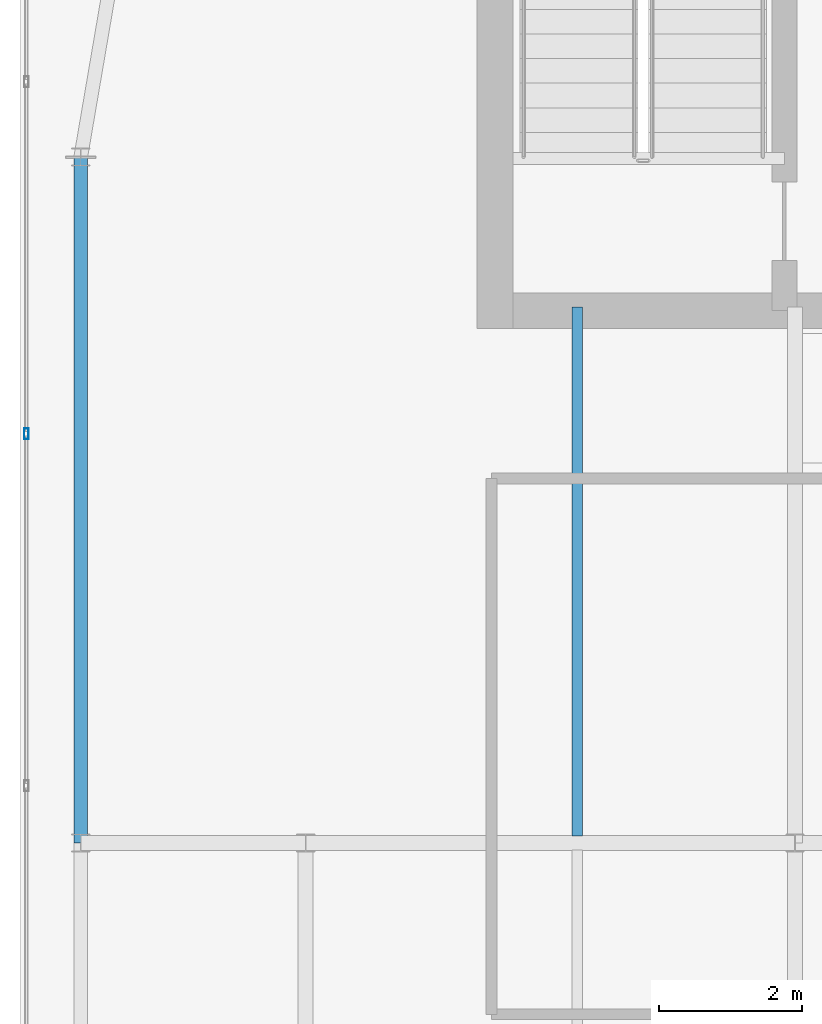
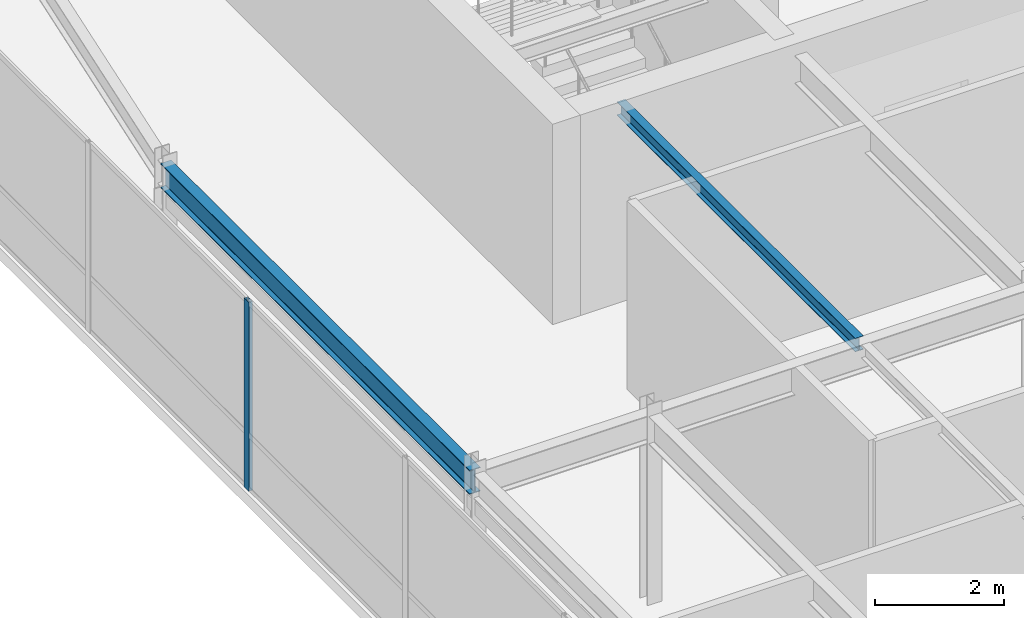
# One storey, part 17 of 36: 2 beams, 1 member, 1 element without a shape of its own.
"""IFC4 building model written with IfcOpenShell, lengths in metres."""

from ifc_helpers import new_model, si_unit, direction, frame, origin, origin_2d, place, context, subcontext, project, spatial, hollow_rectangle, i_section, extrude, source, transform, mapped, material, layer, layer_set, material_profile, profile_set, type_object, type_shapes, element, aggregate, save


model = new_model("IFC4")

# Units and contexts
model_context = context("Model", 3, precision=1e-05, world=origin(), true_north=direction((0.0, 1.0)))
body_context = subcontext(model_context, "Body", "Model", "MODEL_VIEW")
ifc_project = project(units=[si_unit("LENGTHUNIT", "METRE"), si_unit("AREAUNIT", "SQUARE_METRE"), si_unit("VOLUMEUNIT", "CUBIC_METRE"), si_unit("PLANEANGLEUNIT", "RADIAN"), si_unit("MASSUNIT", "GRAM", prefix="KILO")], contexts=[model_context])

# Site, building, storey
site_placement = place(None, origin())
site = spatial("IfcSite", under=ifc_project, at=site_placement, CompositionType="ELEMENT")
building_placement = place(site_placement, origin())
building = spatial("IfcBuilding", under=site, at=building_placement, Name="Tolvann Quenvar Hotel", CompositionType="ELEMENT")
storey_placement = place(building_placement, frame((0.0, 0.0, 302.35009765625)))
storey = spatial("IfcBuildingStorey", under=building, at=storey_placement, Name="L80", CompositionType="ELEMENT", Elevation=302.35009765625)

# Beams
ifc_material_1 = material(Name="Steel Grade 350", Category="steel")
ifc_material_profile_1 = material_profile(ifc_material_1, i_section(OverallWidth=0.19091796875, OverallDepth=0.4599609375, WebThickness=0.010009765625, FlangeThickness=0.01611328125, FilletRadius=0.011474609375, at=origin_2d()), Name="460UB82")
ifc_profile_set_1 = profile_set([ifc_material_profile_1], Name="Steel Grade 350")
beam_type_1 = type_object("IfcBeamType", Name="BM_SPAND_460UB82", PredefinedType="SPANDREL", material=ifc_profile_set_1)
shared_shape_1 = source(origin(), body_context, "Body", "SweptSolid", [
    extrude(i_section(OverallWidth=0.19091796875, OverallDepth=0.4599609375, WebThickness=0.010009765625, FlangeThickness=0.01611328125, FilletRadius=0.011474609375, at=origin_2d()), origin(), (0.0, 0.0, 1.0), 9.60009765625),
])
type_shapes(beam_type_1, [shared_shape_1])
beam_1_placement = place(storey_placement, frame((4.449951171875, 24.39990234375, 3.349853515625), z_axis=(0.0, 1.0, 0.0), x_axis=(-1.0, 0.0, 0.0)))
element("IfcBeam", 1, at=beam_1_placement, inside=storey, type_object=beam_type_1, Name="BM-L80-FLK-W1", PredefinedType="SPANDREL", context=body_context, shape_type="MappedRepresentation", body=[
    mapped(shared_shape_1, transform((0.0, 0.0, 0.0), x_axis=(1.0, 0.0, 0.0), y_axis=(0.0, 1.0, 0.0), z_axis=(0.0, 0.0, 1.0), scale=1.0)),
])
ifc_material_profile_2 = material_profile(ifc_material_1, i_section(OverallWidth=0.14599609375, OverallDepth=0.256103515625, WebThickness=0.00634765625, FlangeThickness=0.010986328125, FilletRadius=0.0087890625, at=origin_2d()), Name="250UB37")
ifc_profile_set_2 = profile_set([ifc_material_profile_2], Name="Steel Grade 350")
beam_type_2 = type_object("IfcBeamType", Name="BM_JOIST_250UB37", PredefinedType="JOIST", material=ifc_profile_set_2)
shared_shape_2 = source(origin(), body_context, "Body", "SweptSolid", [
    extrude(i_section(OverallWidth=0.14599609375, OverallDepth=0.256103515625, WebThickness=0.00634765625, FlangeThickness=0.010986328125, FilletRadius=0.0087890625, at=origin_2d()), origin(), (0.0, 0.0, 1.0), 7.4013671875),
])
type_shapes(beam_type_2, [shared_shape_2])
beam_2_placement = place(storey_placement, frame((11.39990234375, 24.49853515625, 3.451904296875), z_axis=(0.0, 1.0, 0.0), x_axis=(-1.0, 0.0, 0.0)))
element("IfcBeam", 2, at=beam_2_placement, inside=storey, type_object=beam_type_2, Name="BJ-L80-114-244", PredefinedType="JOIST", context=body_context, shape_type="MappedRepresentation", body=[
    mapped(shared_shape_2, transform((0.0, 0.0, 0.0), x_axis=(1.0, 0.0, 0.0), y_axis=(0.0, 1.0, 0.0), z_axis=(0.0, 0.0, 1.0), scale=1.0)),
])

# Curtain wall, member
ifc_material_2 = material(Name="Thermally broken anodised architectural aluminium 6063-T6 and laminated low-E glass", Category="aluminium")
ifc_layer = layer(ifc_material_2, 0.179931640625)
ifc_layer_set = layer_set([ifc_layer], Name="Thermally broken anodised architectural aluminium 6063-T6 and laminated low-E glass")
curtain_wall_type = type_object("IfcCurtainWallType", Name="CW_SYS_LANT_06", PredefinedType="USERDEFINED", material=ifc_layer_set)
curtain_wall_placement = place(storey_placement, origin())
curtain_wall = element("IfcCurtainWall", 3, at=curtain_wall_placement, inside=storey, type_object=curtain_wall_type, Name="Curtain Wall CW-LANT-06 (CWR-L80-E19)", ObjectType="UNITISED CURTAIN WALL", PredefinedType="USERDEFINED")
ifc_material_3 = material(Name="Anodised architectural aluminium 6063-T6 framing", Category="aluminium")
ifc_material_profile_3 = material_profile(ifc_material_3, hollow_rectangle(XDim=0.06494140625, YDim=0.14990234375, WallThickness=0.00390625, at=origin_2d()), Name="150x65x4RHS")
ifc_profile_set_3 = profile_set([ifc_material_profile_3], Name="Anodised architectural aluminium 6063-T6 framing")
member_type = type_object("IfcMemberType", Name="CW_MULL_150x65", PredefinedType="MULLION", material=ifc_profile_set_3)
shared_shape_3 = source(origin(), body_context, "Body", "SweptSolid", [
    extrude(hollow_rectangle(XDim=0.06494140625, YDim=0.14990234375, WallThickness=0.00390625, at=origin_2d()), origin(), (0.0, 0.0, 1.0), 3.579833984375),
])
type_shapes(member_type, [shared_shape_3])
member_placement = place(storey_placement, frame((3.68994140625, 30.127685546875, 0.0), z_axis=(0.0, 0.0, 1.0), x_axis=(1.0, 0.0, 0.0)))
member = element("IfcMember", 4, at=member_placement, type_object=member_type, Name="CW-LANT-06 mullion 3", PredefinedType="MULLION", context=body_context, shape_type="MappedRepresentation", body=[
    mapped(shared_shape_3, transform((0.0, 0.0, 0.0), x_axis=(1.0, 0.0, 0.0), y_axis=(0.0, 1.0, 0.0), z_axis=(0.0, 0.0, 1.0), scale=1.0)),
])
aggregate(curtain_wall, [member])

save(model, "model.ifc")
